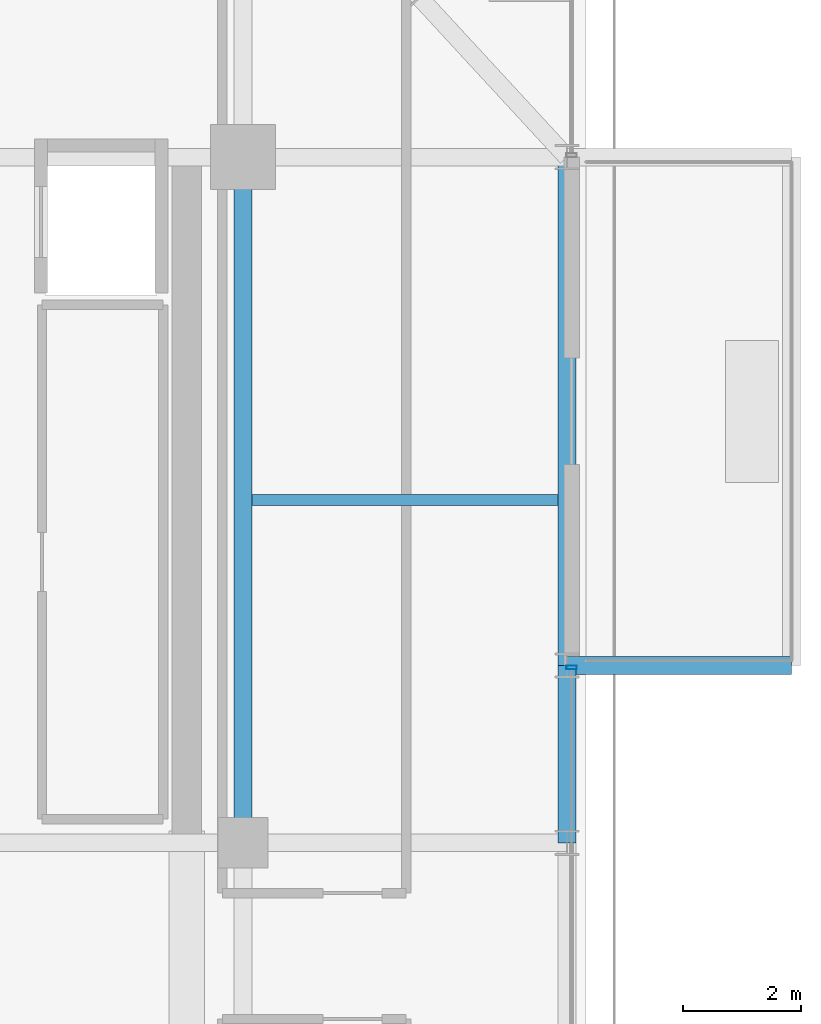
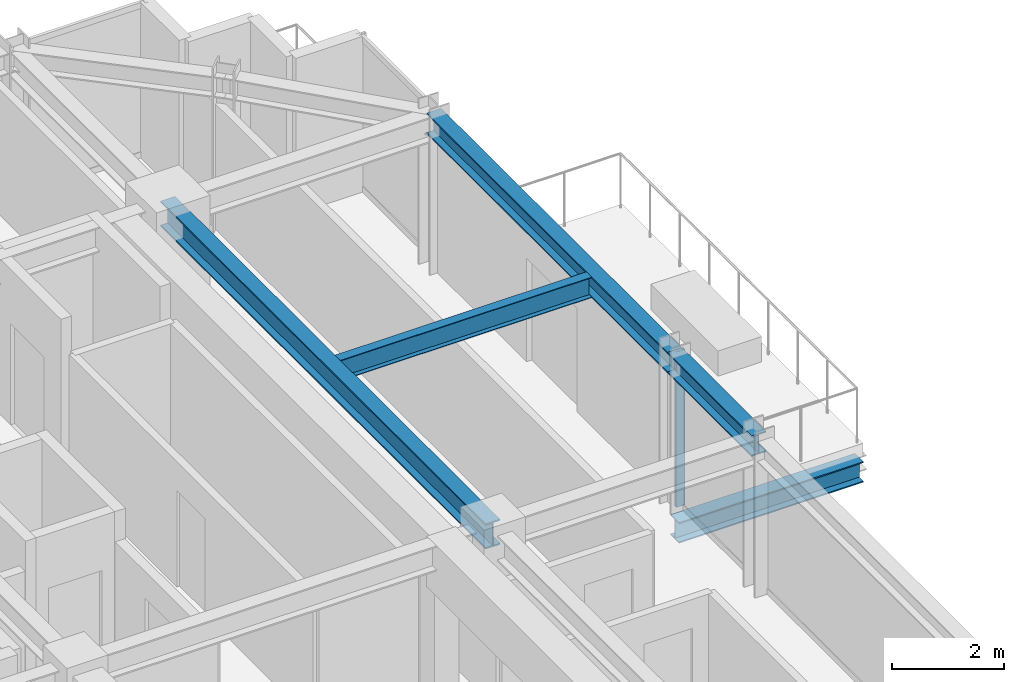
# One storey, part 20 of 33: 5 beams, 1 member, 1 element without a shape of its own.
"""IFC4 building model written with IfcOpenShell, lengths in metres."""

from ifc_helpers import new_model, si_unit, direction, frame, origin, origin_2d, place, context, subcontext, project, spatial, hollow_rectangle, i_section, extrude, source, transform, mapped, material, material_profile, profile_set, type_object, element, aggregate, save


model = new_model("IFC4")

# Units and contexts
model_context = context("Model", 3, precision=1e-05, world=origin(), true_north=direction((0.0, 1.0)))
body_context = subcontext(model_context, "Body", "Model", "MODEL_VIEW")
ifc_project = project(units=[si_unit("LENGTHUNIT", "METRE"), si_unit("AREAUNIT", "SQUARE_METRE"), si_unit("VOLUMEUNIT", "CUBIC_METRE"), si_unit("PLANEANGLEUNIT", "RADIAN"), si_unit("MASSUNIT", "GRAM", prefix="KILO")], contexts=[model_context])

# Site, building, storey
site_placement = place(None, origin())
site = spatial("IfcSite", under=ifc_project, at=site_placement, CompositionType="ELEMENT")
building_placement = place(site_placement, origin())
building = spatial("IfcBuilding", under=site, at=building_placement, Name="Nahalor Promenade Grand Hotel", CompositionType="ELEMENT")
storey_placement = place(building_placement, frame((0.0, 0.0, 149.0)))
storey = spatial("IfcBuildingStorey", under=building, at=storey_placement, Name="L37", CompositionType="ELEMENT", Elevation=149.0)

# Beams
ifc_material_1 = material(Name="Steel S355JR", Category="steel")
ifc_material_profile_1 = material_profile(ifc_material_1, i_section(OverallWidth=0.3, OverallDepth=0.45, WebThickness=0.014, FlangeThickness=0.026, at=origin_2d()), Name="HEB 450")
ifc_profile_set_1 = profile_set([ifc_material_profile_1], Name="Steel S355JR")
beam_type_1 = type_object("IfcBeamType", Name="Beam-Outrigger-HEB450", PredefinedType="BEAM", material=ifc_profile_set_1)
shared_shape_1 = source(origin(), body_context, "Body", "SweptSolid", [
    extrude(i_section(OverallWidth=0.3, OverallDepth=0.45, WebThickness=0.014, FlangeThickness=0.026, at=origin_2d()), origin(), (0.0, 0.0, 1.0), 3.800048828125),
])
beam_1_placement = place(storey_placement, frame((22.47998046875, 8.39990234375, -0.5048828125), z_axis=(1.0, 0.0, 0.0), x_axis=(0.0, 1.0, 0.0)))
element("IfcBeam", 1, at=beam_1_placement, inside=storey, type_object=beam_type_1, Name="BM-L37-BC-02-1", PredefinedType="BEAM", context=body_context, shape_type="MappedRepresentation", body=[
    mapped(shared_shape_1, transform((0.0, 0.0, 0.0), scale=1.0)),
])
ifc_material_profile_2 = material_profile(ifc_material_1, i_section(OverallWidth=0.3, OverallDepth=0.55, WebThickness=0.015, FlangeThickness=0.029, at=origin_2d()), Name="HEB 550")
ifc_profile_set_2 = profile_set([ifc_material_profile_2], Name="Steel S355JR")
beam_type_2 = type_object("IfcBeamType", Name="Beam-Girder-HEB550", PredefinedType="BEAM", material=ifc_profile_set_2)
shared_shape_2 = source(origin(), body_context, "Body", "SweptSolid", [
    extrude(i_section(OverallWidth=0.3, OverallDepth=0.55, WebThickness=0.015, FlangeThickness=0.029, at=origin_2d()), origin(), (0.0, 0.0, 1.0), 11.60009765625),
])
beam_2_placement = place(storey_placement, frame((17.0, 5.39990234375, 3.114990234375), z_axis=(0.0, 1.0, 0.0), x_axis=(-1.0, 0.0, 0.0)))
element("IfcBeam", 2, at=beam_2_placement, inside=storey, type_object=beam_type_2, Name="BM-L37-GY-5-3", PredefinedType="BEAM", context=body_context, shape_type="MappedRepresentation", body=[
    mapped(shared_shape_2, transform((0.0, 0.0, 0.0), scale=1.0)),
])
ifc_material_profile_3 = material_profile(ifc_material_1, i_section(OverallWidth=0.19, OverallDepth=0.45, WebThickness=0.0094, FlangeThickness=0.0146, at=origin_2d()), Name="IPE 450")
ifc_profile_set_3 = profile_set([ifc_material_profile_3], Name="Steel S355JR")
beam_type_3 = type_object("IfcBeamType", Name="Beam-Joist-IPE450", PredefinedType="JOIST", material=ifc_profile_set_3)
shared_shape_3 = source(origin(), body_context, "Body", "SweptSolid", [
    extrude(i_section(OverallWidth=0.19, OverallDepth=0.45, WebThickness=0.0094, FlangeThickness=0.0146, at=origin_2d()), origin(), (0.0, 0.0, 1.0), 5.18017578125),
])
beam_3_placement = place(storey_placement, frame((17.14990234375, 11.199951171875, 3.1650390625), z_axis=(1.0, 0.0, 0.0), x_axis=(0.0, 1.0, 0.0)))
element("IfcBeam", 3, at=beam_3_placement, inside=storey, type_object=beam_type_3, Name="BM-L37-JSE-1-2", PredefinedType="JOIST", context=body_context, shape_type="MappedRepresentation", body=[
    mapped(shared_shape_3, transform((0.0, 0.0, 0.0), scale=1.0)),
])
ifc_material_profile_4 = material_profile(ifc_material_1, i_section(OverallWidth=0.3, OverallDepth=0.45, WebThickness=0.014, FlangeThickness=0.026, at=origin_2d()), Name="HEB 450")
ifc_profile_set_4 = profile_set([ifc_material_profile_4], Name="Steel S355JR")
beam_type_4 = type_object("IfcBeamType", Name="Beam-Spandrel-HEB450", PredefinedType="SPANDREL", material=ifc_profile_set_4)
shared_shape_4 = source(origin(), body_context, "Body", "SweptSolid", [
    extrude(i_section(OverallWidth=0.3, OverallDepth=0.45, WebThickness=0.014, FlangeThickness=0.026, at=origin_2d()), origin(), (0.0, 0.0, 1.0), 8.60009765625),
])
beam_4_placement = place(storey_placement, frame((22.47998046875, 8.39990234375, 3.1650390625), z_axis=(0.0, 1.0, 0.0), x_axis=(-1.0, 0.0, 0.0)))
element("IfcBeam", 4, at=beam_4_placement, inside=storey, type_object=beam_type_4, Name="BM-L37-SP-E-4", PredefinedType="SPANDREL", context=body_context, shape_type="MappedRepresentation", body=[
    mapped(shared_shape_4, transform((0.0, 0.0, 0.0), scale=1.0)),
])
shared_shape_5 = source(origin(), body_context, "Body", "SweptSolid", [
    extrude(i_section(OverallWidth=0.3, OverallDepth=0.45, WebThickness=0.014, FlangeThickness=0.026, at=origin_2d()), origin(), (0.0, 0.0, 1.0), 3.0),
])
beam_5_placement = place(storey_placement, frame((22.47998046875, 5.39990234375, 3.1650390625), z_axis=(0.0, 1.0, 0.0), x_axis=(-1.0, 0.0, 0.0)))
element("IfcBeam", 5, at=beam_5_placement, inside=storey, type_object=beam_type_4, Name="BM-L37-SP-E-3", PredefinedType="SPANDREL", context=body_context, shape_type="MappedRepresentation", body=[
    mapped(shared_shape_5, transform((0.0, 0.0, 0.0), scale=1.0)),
])

# Curtain wall, member
ifc_material_2 = material(Name="Anodised Bronze Aluminium EN AW-6063 T6", Category="aluminium")
curtain_wall_type = type_object("IfcCurtainWallType", Name="CW2 Typical Hotel Flush Bronze Unitised Curtain Wall", PredefinedType="USERDEFINED", material=ifc_material_2)
curtain_wall_placement = place(storey_placement, origin())
curtain_wall = element("IfcCurtainWall", 6, at=curtain_wall_placement, inside=storey, type_object=curtain_wall_type, Name="L37 Curtain Wall CW-L37-E-1", ObjectType="UNITISED_CURTAIN_WALL", PredefinedType="USERDEFINED")
ifc_material_profile_5 = material_profile(ifc_material_2, hollow_rectangle(XDim=0.065, YDim=0.18, WallThickness=0.004, at=origin_2d()), Name="CWM 65x180x4")
ifc_profile_set_5 = profile_set([ifc_material_profile_5], Name="Anodised Bronze Aluminium EN AW-6063 T6")
member_type = type_object("IfcMemberType", Name="CWM2 Typical Bronze Mullion 65x180", PredefinedType="MULLION", material=ifc_profile_set_5)
shared_shape_6 = source(origin(), body_context, "Body", "SweptSolid", [
    extrude(hollow_rectangle(XDim=0.065, YDim=0.18, WallThickness=0.004, at=origin_2d()), origin(), (0.0, 0.0, 1.0), 3.389892578125),
])
member_placement = place(storey_placement, frame((22.56005859375, 8.367431640625, 0.0), z_axis=(0.0, 0.0, 1.0), x_axis=(0.0, 1.0, 0.0)))
member = element("IfcMember", 7, at=member_placement, type_object=member_type, Name="CW-L37-E-1 Mullion 2", PredefinedType="MULLION", context=body_context, shape_type="MappedRepresentation", body=[
    mapped(shared_shape_6, transform((0.0, 0.0, 0.0), scale=1.0)),
])
aggregate(curtain_wall, [member])

save(model, "model.ifc")
